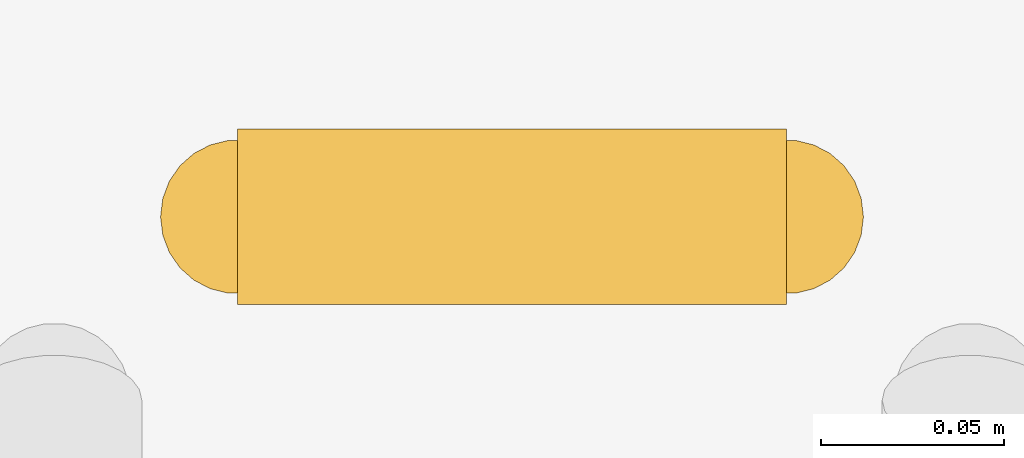
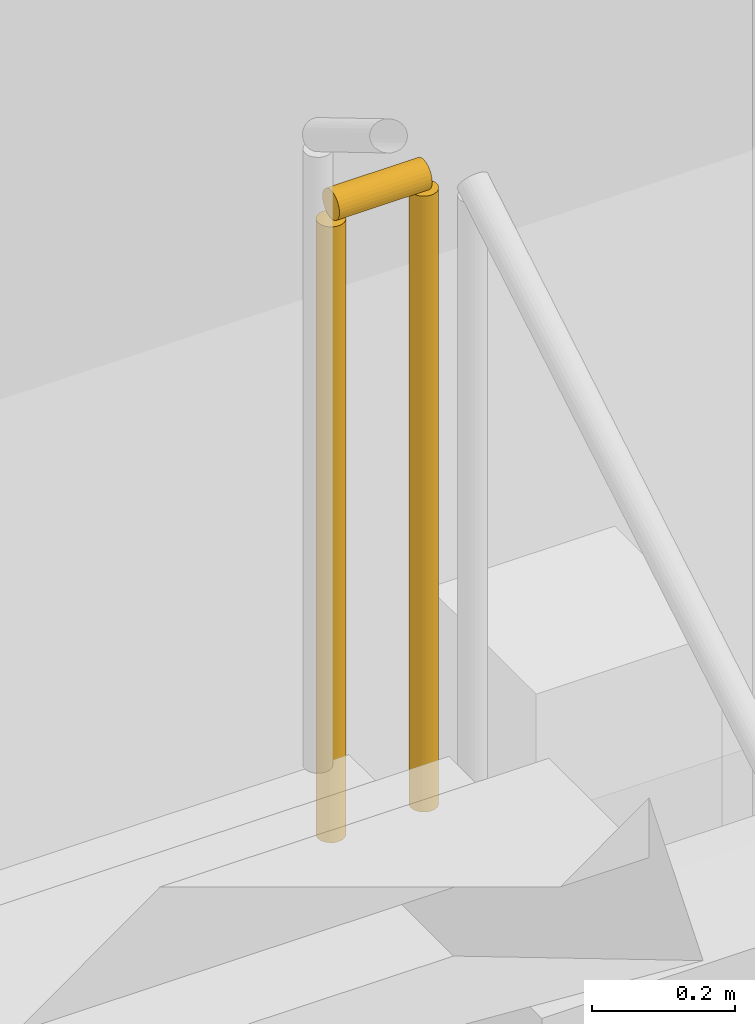
# One storey, part 33 of 34: 1 railing.
"""IFC4 building model written with IfcOpenShell, lengths in metres."""

from ifc_helpers import new_model, si_unit, direction, frame, origin, origin_2d, place, context, subcontext, project, spatial, circle, extrude, material, type_object, element, save


model = new_model("IFC4")

# Units and contexts
model_context = context("Model", 3, precision=1e-05, world=origin(), true_north=direction((0.0, 1.0)))
body_context = subcontext(model_context, "Body", "Model", "MODEL_VIEW")
ifc_project = project(units=[si_unit("LENGTHUNIT", "METRE"), si_unit("AREAUNIT", "SQUARE_METRE"), si_unit("VOLUMEUNIT", "CUBIC_METRE"), si_unit("PLANEANGLEUNIT", "RADIAN"), si_unit("MASSUNIT", "GRAM", prefix="KILO")], contexts=[model_context])

# Site, building, storey
site_placement = place(None, origin())
site = spatial("IfcSite", under=ifc_project, at=site_placement, CompositionType="ELEMENT")
building_placement = place(site_placement, origin())
building = spatial("IfcBuilding", under=site, at=building_placement, Name="Tarsis Ring Headquarters", CompositionType="ELEMENT")
storey_placement = place(building_placement, origin())
storey = spatial("IfcBuildingStorey", under=building, at=storey_placement, Name="L00", CompositionType="ELEMENT", Elevation=0.0)

# Railing
ifc_material = material(Name="Stainless steel", Category="steel")
railing_type = type_object("IfcRailingType", Name="PO-RL-G", PredefinedType="GUARDRAIL", material=ifc_material)
railing_placement = place(storey_placement, frame((24.074951171875, 7.3701171875, 4.0)))
element("IfcRailing", 1, at=railing_placement, inside=storey, type_object=railing_type, Name="L00 PS1 stair guard 2", PredefinedType="GUARDRAIL", context=body_context, shape_type="SweptSolid", body=[
    extrude(circle(Radius=0.02392578125, at=origin_2d()), frame((0.0, 0.0, 1.076171875), z_axis=(-1.0, 0.0, 0.0), x_axis=(0.0, -1.0, 0.0)), (0.0, 0.0, 1.0), 0.14990234375),
    extrude(circle(Radius=0.02099609375, at=origin_2d()), origin(), (0.0, 0.0, 1.0), 1.052001953125),
    extrude(circle(Radius=0.02099609375, at=origin_2d()), frame((-0.14990234375, 0.0, 0.0)), (0.0, 0.0, 1.0), 1.052001953125),
])

save(model, "model.ifc")
